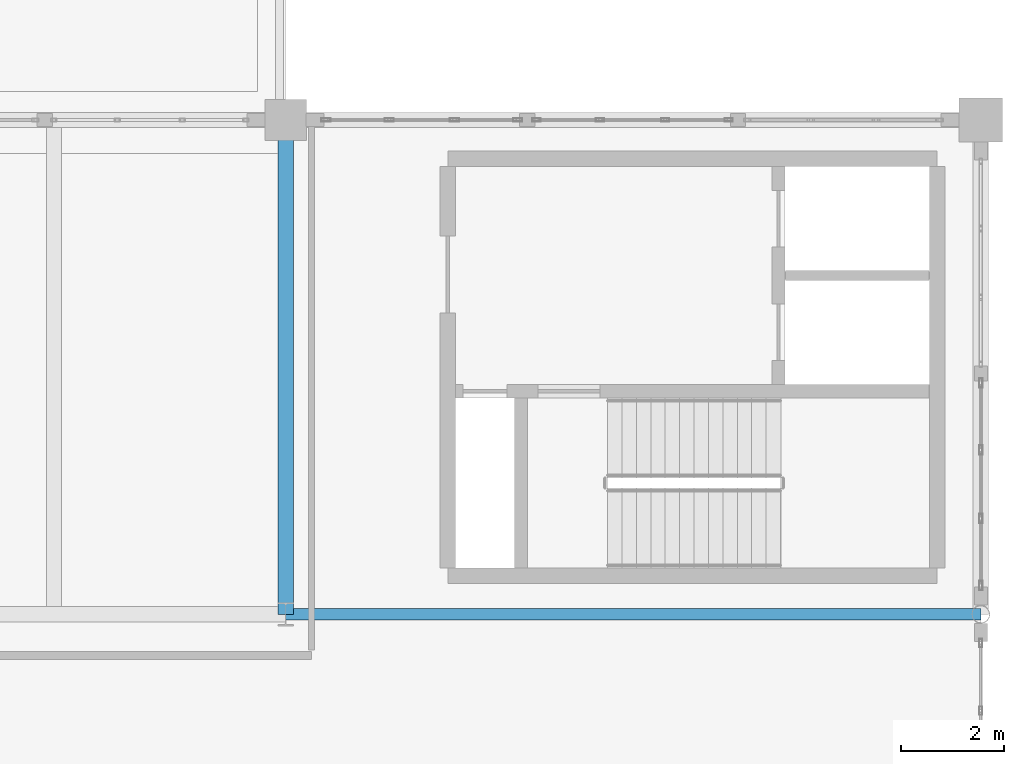
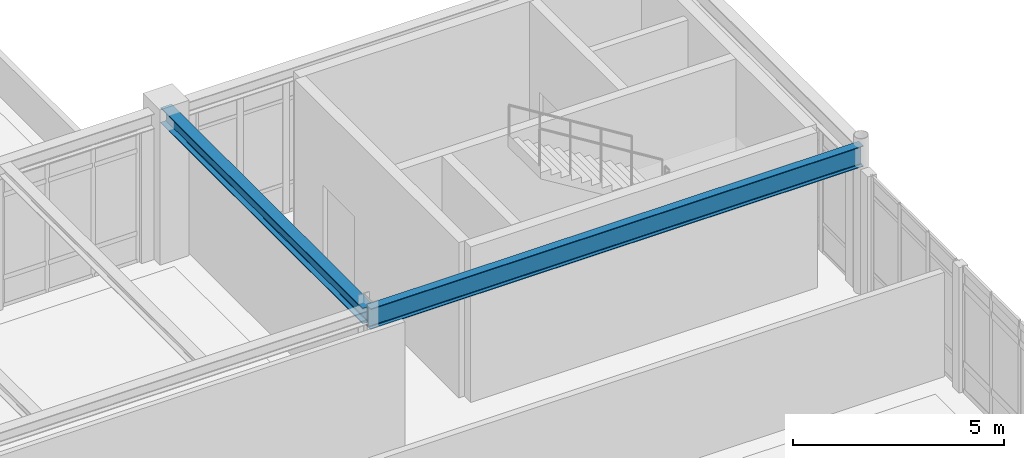
# One storey, part 35 of 55: 2 beams.
"""IFC4 building model written with IfcOpenShell, lengths in metres."""

from ifc_helpers import new_model, si_unit, direction, frame, origin, origin_2d, place, context, subcontext, project, spatial, i_section, extrude, material, material_profile, profile_set, type_object, element, save


model = new_model("IFC4")

# Units and contexts
model_context = context("Model", 3, precision=1e-05, world=origin(), true_north=direction((0.0, 1.0)))
body_context = subcontext(model_context, "Body", "Model", "MODEL_VIEW")
ifc_project = project(units=[si_unit("LENGTHUNIT", "METRE"), si_unit("AREAUNIT", "SQUARE_METRE"), si_unit("VOLUMEUNIT", "CUBIC_METRE"), si_unit("PLANEANGLEUNIT", "RADIAN"), si_unit("MASSUNIT", "GRAM", prefix="KILO")], contexts=[model_context])

# Site, building, storey
site_placement = place(None, origin())
site = spatial("IfcSite", under=ifc_project, at=site_placement, CompositionType="ELEMENT")
building_placement = place(site_placement, origin())
building = spatial("IfcBuilding", under=site, at=building_placement, Name="Fikremerkos Civic Library", CompositionType="ELEMENT")
storey_placement = place(building_placement, frame((0.0, 0.0, 18.89990234375)))
storey = spatial("IfcBuildingStorey", under=building, at=storey_placement, Name="L04", CompositionType="ELEMENT", Elevation=18.89990234375)

# Beams
ifc_material = material(Name="Steel S355", Category="steel")
ifc_material_profile_1 = material_profile(ifc_material, i_section(OverallWidth=0.219970703125, OverallDepth=0.60009765625, WebThickness=0.011962890625, FlangeThickness=0.01904296875, FilletRadius=0.02392578125, at=origin_2d()), Name="IPE 600")
ifc_profile_set_1 = profile_set([ifc_material_profile_1], Name="Steel S355")
beam_type_1 = type_object("IfcBeamType", Name="Primary girder BM-20 IPE 600", PredefinedType="BEAM", material=ifc_profile_set_1)
beam_1_placement = place(storey_placement, frame((100.199951171875, 21.60009765625, 3.940185546875), z_axis=(1.0, 0.0, 0.0), x_axis=(0.0, 1.0, 0.0)))
element("IfcBeam", 1, at=beam_1_placement, inside=storey, type_object=beam_type_1, Name="Primary girder BM-20 L04 grid F", PredefinedType="BEAM", context=body_context, shape_type="SweptSolid", body=[
    extrude(i_section(OverallWidth=0.219970703125, OverallDepth=0.60009765625, WebThickness=0.011962890625, FlangeThickness=0.01904296875, FilletRadius=0.02392578125, at=origin_2d()), origin(), (0.0, 0.0, 1.0), 13.5),
])
ifc_material_profile_2 = material_profile(ifc_material, i_section(OverallWidth=0.300048828125, OverallDepth=0.449951171875, WebThickness=0.013916015625, FlangeThickness=0.02587890625, FilletRadius=0.027099609375, at=origin_2d()), Name="HEB 450")
ifc_profile_set_2 = profile_set([ifc_material_profile_2], Name="Steel S355")
beam_type_2 = type_object("IfcBeamType", Name="Primary girder BM-23 HEB 450", PredefinedType="BEAM", material=ifc_profile_set_2)
beam_2_placement = place(storey_placement, frame((100.199951171875, 21.60009765625, 4.01513671875), z_axis=(0.0, 1.0, 0.0), x_axis=(-1.0, 0.0, 0.0)))
element("IfcBeam", 2, at=beam_2_placement, inside=storey, type_object=beam_type_2, Name="Primary girder BM-23 L04 grid 9", PredefinedType="BEAM", context=body_context, shape_type="SweptSolid", body=[
    extrude(i_section(OverallWidth=0.300048828125, OverallDepth=0.449951171875, WebThickness=0.013916015625, FlangeThickness=0.02587890625, FilletRadius=0.027099609375, at=origin_2d()), origin(), (0.0, 0.0, 1.0), 9.599853515625),
])

save(model, "model.ifc")
